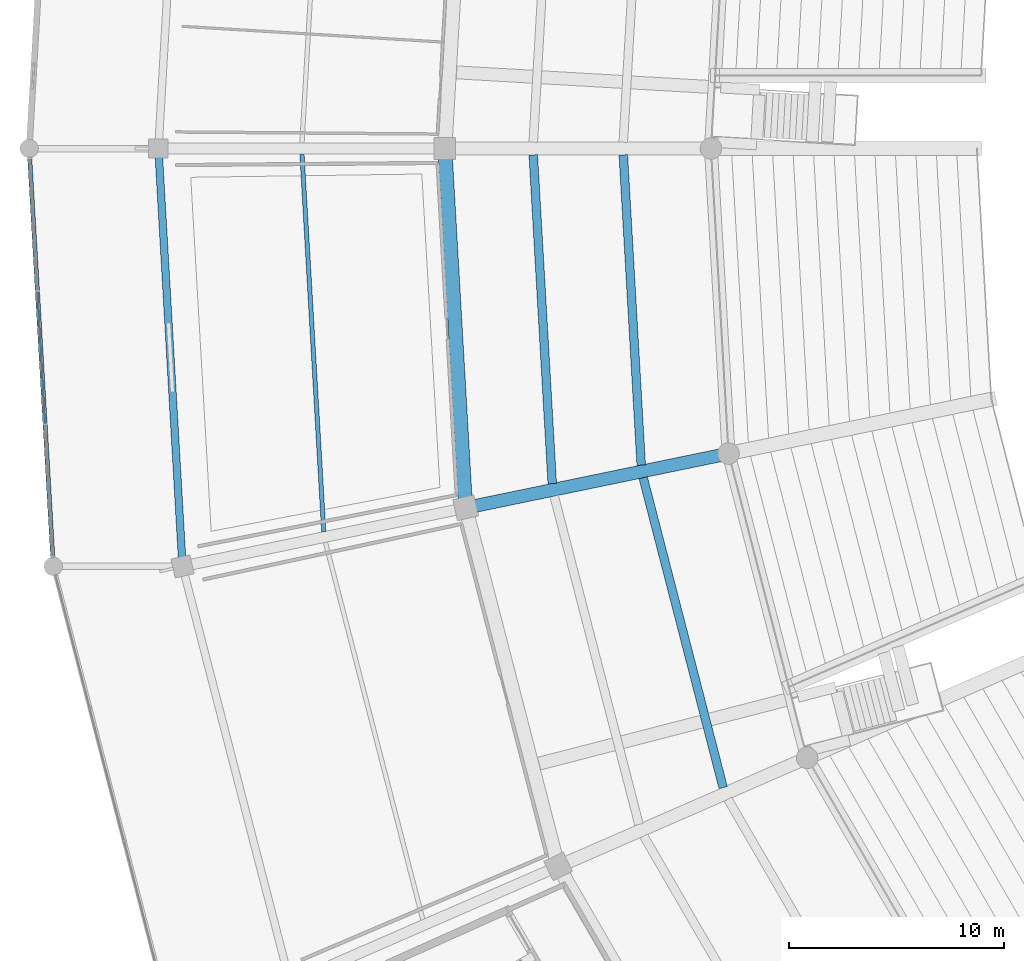
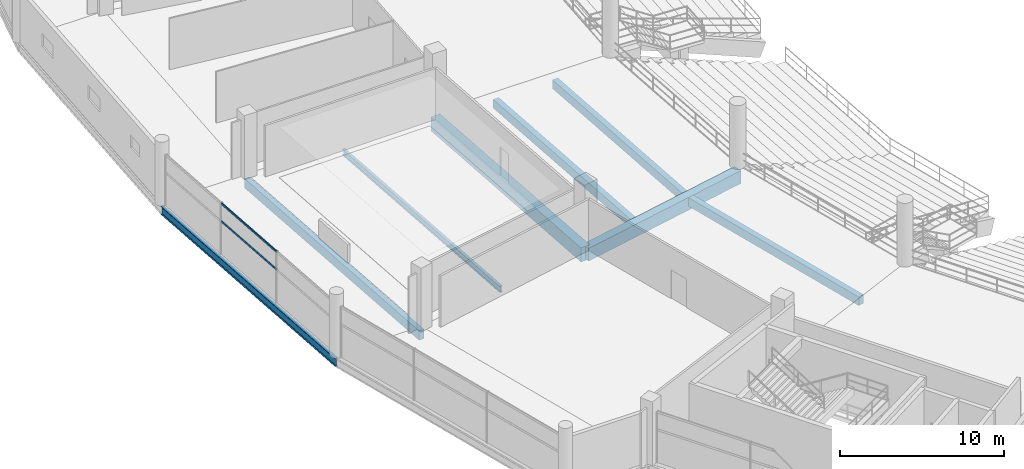
# One storey, part 28 of 156: 8 beams, 2 members, 1 element without a shape of its own.
"""IFC4 building model written with IfcOpenShell, lengths in metres."""

import ifcopenshell
import ifcopenshell.guid

model = None  # the IFC model being written
_history = None  # IfcOwnerHistory: only IFC2X3 demands one
_inside = {}  # id of a spatial element -> (the spatial element, [elements in it])
_under = {}  # id of a project, library or spatial element -> (it, [spatial elements below it])
_declared = {}  # id of a project -> (the project, [libraries it declares])
_typed = {}  # id of a type object -> (the type object, [elements of that type])
_made_of = {}  # id of a material, layer set ... -> (it, [elements and type objects made of it])


def new_model(schema):
    """Start an empty IFC model of exactly this schema.

    Asked for "IFC4X3", IfcOpenShell would pick the latest addendum, in which some entities
    have other attributes; the version numbers below select the first issue.
    IFC2X3 requires an IfcOwnerHistory on every rooted entity: one is made here for all.
    """
    global model, _history
    if schema == "IFC4X3":
        model = ifcopenshell.file(schema_version=(4, 3, 0, 0))
    else:
        model = ifcopenshell.file(schema=schema)
    _inside.clear()
    _under.clear()
    _declared.clear()
    _typed.clear()
    _made_of.clear()
    _history = None
    if model.schema == "IFC2X3":
        org = make("IfcOrganization", Name="unknown")
        user = make(
            "IfcPersonAndOrganization",
            ThePerson=make("IfcPerson", FamilyName="unknown"),
            TheOrganization=org,
        )
        app = make(
            "IfcApplication",
            ApplicationDeveloper=org,
            Version="unknown",
            ApplicationFullName="unknown",
            ApplicationIdentifier="unknown",
        )
        _history = make(
            "IfcOwnerHistory",
            OwningUser=user,
            OwningApplication=app,
            ChangeAction="ADDED",
            CreationDate=0,
        )
    return model


def make(cls, **values):
    """One entity of the class cls with the attributes given. An attribute that is None is left unset."""
    return model.create_entity(
        cls, **{name: value for name, value in values.items() if value is not None}
    )


def rooted(cls, **values):
    """An entity with a GlobalId (a new one), such as an element, a storey or a relation."""
    return make(cls, GlobalId=ifcopenshell.guid.new(), OwnerHistory=_history, **values)


def si_unit(unit_type, name, prefix=None):
    """IfcSIUnit, for example si_unit("LENGTHUNIT", "METRE", prefix="MILLI")."""
    return make("IfcSIUnit", UnitType=unit_type, Prefix=prefix, Name=name)


def assignment(units):
    """IfcUnitAssignment: the units of a project."""
    return None if units is None else make("IfcUnitAssignment", Units=units)


def point(xyz):
    """IfcCartesianPoint."""
    return None if xyz is None else make("IfcCartesianPoint", Coordinates=xyz)


def direction(xyz):
    """IfcDirection."""
    return None if xyz is None else make("IfcDirection", DirectionRatios=xyz)


def frame(location, z_axis=None, x_axis=None):
    """IfcAxis2Placement3D, a coordinate frame: its origin and axes. An axis left out is left unset."""
    return make(
        "IfcAxis2Placement3D",
        Location=point(location),
        Axis=direction(z_axis),
        RefDirection=direction(x_axis),
    )


def frame_2d(location, x_axis=None):
    """IfcAxis2Placement2D, a coordinate frame in the plane: its origin and x axis."""
    return make(
        "IfcAxis2Placement2D", Location=point(location), RefDirection=direction(x_axis)
    )


def origin():
    """The frame at (0, 0, 0) with its axes left unset."""
    return frame((0.0, 0.0, 0.0))


def origin_2d():
    """The frame at (0, 0) in the plane with its x axis left unset."""
    return frame_2d((0.0, 0.0))


def place(relative_to, where):
    """IfcLocalPlacement: puts the frame where relative to a parent placement (None: the world)."""
    return make(
        "IfcLocalPlacement", PlacementRelTo=relative_to, RelativePlacement=where
    )


def context(
    kind, dimensions, precision=None, world=None, true_north=None, identifier=None
):
    """IfcGeometricRepresentationContext, for example the 3D "Model" context."""
    return make(
        "IfcGeometricRepresentationContext",
        ContextIdentifier=identifier,
        ContextType=kind,
        CoordinateSpaceDimension=dimensions,
        Precision=precision,
        WorldCoordinateSystem=world,
        TrueNorth=true_north,
    )


def subcontext(parent, identifier, kind, view, scale=None):
    """IfcGeometricRepresentationSubContext, for example "Body" below "Model"."""
    return make(
        "IfcGeometricRepresentationSubContext",
        ContextIdentifier=identifier,
        ContextType=kind,
        ParentContext=parent,
        TargetScale=scale,
        TargetView=view,
    )


def project(units=None, contexts=None):
    """IfcProject with its units and contexts."""
    return rooted(
        "IfcProject",
        Name="project",
        RepresentationContexts=contexts,
        UnitsInContext=assignment(units),
    )


def spatial(cls, under=None, at=None, **own):
    """A site, building, storey or space (cls), placed at a placement, below another one or the project."""
    s = rooted(cls, ObjectPlacement=at, **own)
    if under is not None:
        _under.setdefault(under.id(), (under, []))[1].append(s)
    return s


def profile(cls, at=None, kind="AREA", **sizes):
    """A parametric profile (cls). Its sizes go by their IFC names, for example OverallWidth=200.0."""
    return make(cls, ProfileType=kind, Position=at, **sizes)


def rectangle(**sizes):
    """IfcRectangleProfileDef."""
    return profile("IfcRectangleProfileDef", **sizes)


def hollow_rectangle(**sizes):
    """IfcRectangleHollowProfileDef."""
    return profile("IfcRectangleHollowProfileDef", **sizes)


def i_section(**sizes):
    """IfcIShapeProfileDef."""
    return profile("IfcIShapeProfileDef", **sizes)


def extrude(swept, where, along, depth):
    """IfcExtrudedAreaSolid: the profile swept, set in the frame where, extruded along a direction by depth."""
    return make(
        "IfcExtrudedAreaSolid",
        SweptArea=swept,
        Position=where,
        ExtrudedDirection=direction(along),
        Depth=depth,
    )


def shape(context_of_items, identifier, shape_type, items):
    """IfcShapeRepresentation: the items that make up one representation, for example the "Body"."""
    return make(
        "IfcShapeRepresentation",
        ContextOfItems=context_of_items,
        RepresentationIdentifier=identifier,
        RepresentationType=shape_type,
        Items=items,
    )


def material(Name=None, Category=None):
    """IfcMaterial."""
    return make("IfcMaterial", Name=Name, Category=Category)


def layer(
    of_material, thickness, ventilated=None, Name=None, Category=None, Priority=None
):
    """IfcMaterialLayer: one layer of a wall or slab, of a material (None: an air gap)."""
    return make(
        "IfcMaterialLayer",
        Material=of_material,
        LayerThickness=thickness,
        IsVentilated=ventilated,
        Name=Name,
        Category=Category,
        Priority=Priority,
    )


def layer_set(layers, Name=None):
    """IfcMaterialLayerSet."""
    return make("IfcMaterialLayerSet", MaterialLayers=layers, LayerSetName=Name)


def material_profile(
    of_material, cross_section, Name=None, Category=None, Priority=None
):
    """IfcMaterialProfile: a cross section and its material."""
    return make(
        "IfcMaterialProfile",
        Name=Name,
        Material=of_material,
        Profile=cross_section,
        Priority=Priority,
        Category=Category,
    )


def profile_set(profiles, Name=None, composite=None):
    """IfcMaterialProfileSet."""
    return make(
        "IfcMaterialProfileSet",
        Name=Name,
        MaterialProfiles=profiles,
        CompositeProfile=composite,
    )


def made_of(thing, what):
    """Note that an element or type object is made of a material, layer set ...; save() writes the relation."""
    if what is not None:
        _made_of.setdefault(what.id(), (what, []))[1].append(thing)
    return thing


def type_object(cls, material=None, **own):
    """A type object (cls), such as IfcWallType, which elements share."""
    return made_of(rooted(cls, **own), material)


def element(
    cls,
    number,
    at=None,
    inside=None,
    cuts=None,
    type_object=None,
    material=None,
    context=None,
    identifier="Body",
    shape_type=None,
    held_by="IfcProductDefinitionShape",
    body=None,
    shapes=None,
    **own,
):
    """One element of the class cls, such as IfcWall. Its Tag is "e" and its number.

    at: its placement. inside: the storey or other place that contains it. cuts: it is an
    opening in that element (IfcRelVoidsElement). A single representation is given by context,
    identifier, shape_type and body (its items); several are given by shapes. held_by: the class
    of the entity that holds the representations. save() writes the other relations.
    """
    e = rooted(cls, Tag="e%d" % number, ObjectPlacement=at, **own)
    if body is not None:
        shapes = [shape(context, identifier, shape_type, body)]
    if shapes is not None:
        e.Representation = make(held_by, Representations=shapes)
    if inside is not None:
        _inside.setdefault(inside.id(), (inside, []))[1].append(e)
    if cuts is not None:
        rooted(
            "IfcRelVoidsElement", RelatingBuildingElement=cuts, RelatedOpeningElement=e
        )
    if type_object is not None:
        _typed.setdefault(type_object.id(), (type_object, []))[1].append(e)
    return made_of(e, material)


def aggregate(whole, parts):
    """IfcRelAggregates: a whole, such as a stair, and the parts it consists of."""
    return rooted("IfcRelAggregates", RelatingObject=whole, RelatedObjects=parts)


def save(model, path):
    """Write the relations noted so far, then the file.

    IfcRelAggregates (storeys below a building ...), IfcRelContainedInSpatialStructure (elements
    in a storey), IfcRelDefinesByType, IfcRelAssociatesMaterial and IfcRelDeclares: one each for
    every whole, place, type object, material and project.
    """
    for whole, parts in _under.values():
        aggregate(whole, parts)
    for where, things in _inside.values():
        rooted(
            "IfcRelContainedInSpatialStructure",
            RelatedElements=things,
            RelatingStructure=where,
        )
    for kind, things in _typed.values():
        rooted("IfcRelDefinesByType", RelatedObjects=things, RelatingType=kind)
    for what, things in _made_of.values():
        rooted("IfcRelAssociatesMaterial", RelatedObjects=things, RelatingMaterial=what)
    for by, libraries in _declared.values():
        rooted("IfcRelDeclares", RelatingContext=by, RelatedDefinitions=libraries)
    model.write(path)


model = new_model("IFC4")

# Units and contexts
model_context = context("Model", 3, precision=1e-05, world=origin(), true_north=direction((0.0, 1.0)))
body_context = subcontext(model_context, "Body", "Model", "MODEL_VIEW")
ifc_project = project(units=[si_unit("LENGTHUNIT", "METRE"), si_unit("AREAUNIT", "SQUARE_METRE"), si_unit("VOLUMEUNIT", "CUBIC_METRE"), si_unit("PLANEANGLEUNIT", "RADIAN"), si_unit("MASSUNIT", "GRAM", prefix="KILO")], contexts=[model_context])

# Site, building, storey
site_placement = place(None, origin())
site = spatial("IfcSite", under=ifc_project, at=site_placement, CompositionType="ELEMENT")
building_placement = place(site_placement, origin())
building = spatial("IfcBuilding", under=site, at=building_placement, Name="Kazemori Nagisa Stadium", CompositionType="ELEMENT")
storey_placement = place(building_placement, frame((0.0, 0.0, 5.780029296875)))
storey = spatial("IfcBuildingStorey", under=building, at=storey_placement, Name="L01", CompositionType="ELEMENT", Elevation=5.780029296875)

# Beams
ifc_material_1 = material(Name="Concrete C40/50 (Fc42)", Category="concrete")
ifc_material_profile_1 = material_profile(ifc_material_1, rectangle(XDim=0.60009765625, YDim=0.949951171875, at=origin_2d()), Name="RC-BM-600x950")
ifc_profile_set_1 = profile_set([ifc_material_profile_1], Name="Concrete C40/50 (Fc42)")
beam_type_1 = type_object("IfcBeamType", Name="Beam_BG-RC600X950", PredefinedType="BEAM", material=ifc_profile_set_1)
beam_1_placement = place(storey_placement, frame((54.467041015625, 87.839599609375, -0.755126953125), z_axis=(-0.979313861938, -0.202347127025, 0.0), x_axis=(0.202347127025, -0.979313861938, 0.0)))
element("IfcBeam", 1, at=beam_1_placement, inside=storey, type_object=beam_type_1, Name="Radial girder BG-RC600X950 L01 R1-R2-16", PredefinedType="BEAM", context=body_context, shape_type="SweptSolid", body=[
    extrude(rectangle(XDim=0.60009765625, YDim=0.949951171875, at=origin_2d()), origin(), (0.0, 0.0, 1.0), 12.46240234375),
])
ifc_material_profile_2 = material_profile(ifc_material_1, rectangle(XDim=0.64990234375, YDim=1.050048828125, at=origin_2d()), Name="RC-BM-650x1050")
ifc_profile_set_2 = profile_set([ifc_material_profile_2], Name="Concrete C40/50 (Fc42)")
beam_type_2 = type_object("IfcBeamType", Name="Beam_BG-RC650X1050", PredefinedType="BEAM", material=ifc_profile_set_2)
beam_2_placement = place(storey_placement, frame((41.300048828125, 102.0, -0.804931640625), z_axis=(0.057594854854, -0.998340038611, 0.0), x_axis=(0.998340038611, 0.057594854854, 0.0)))
element("IfcBeam", 2, at=beam_2_placement, inside=storey, type_object=beam_type_2, Name="Ring girder BG-RC650X1050 L01 R2-15", PredefinedType="BEAM", context=body_context, shape_type="SweptSolid", body=[
    extrude(rectangle(XDim=0.64990234375, YDim=1.050048828125, at=origin_2d()), origin(), (0.0, 0.0, 1.0), 16.7099609375),
])
ifc_material_2 = material(Name="Steel SN490B", Category="steel")
ifc_material_profile_3 = material_profile(ifc_material_2, i_section(OverallWidth=0.199951171875, OverallDepth=0.449951171875, WebThickness=0.009033203125, FlangeThickness=0.013916015625, FilletRadius=0.012939453125, at=origin_2d()), Name="H-450x200x9x14")
ifc_profile_set_3 = profile_set([ifc_material_profile_3], Name="Steel SN490B")
beam_type_3 = type_object("IfcBeamType", Name="Beam_BJ-H450", PredefinedType="JOIST", material=ifc_profile_set_3)
beam_3_placement = place(storey_placement, frame((34.6640625, 101.75537109375, -0.505126953125), z_axis=(0.057605851522, -0.998339404146, 0.0), x_axis=(0.998339404146, 0.057605851522, 0.0)))
element("IfcBeam", 3, at=beam_3_placement, inside=storey, type_object=beam_type_3, Name="Outer bay joist BJ-H450 L01 B15", PredefinedType="JOIST", context=body_context, shape_type="SweptSolid", body=[
    extrude(i_section(OverallWidth=0.199951171875, OverallDepth=0.449951171875, WebThickness=0.009033203125, FlangeThickness=0.013916015625, FilletRadius=0.012939453125, at=origin_2d()), origin(), (0.0, 0.0, 1.0), 17.579833984375),
])
ifc_material_profile_4 = material_profile(ifc_material_1, rectangle(XDim=0.39990234375, YDim=0.64990234375, at=origin_2d()), Name="RC-BM-400x650")
ifc_profile_set_4 = profile_set([ifc_material_profile_4], Name="Concrete C40/50 (Fc42)")
beam_type_4 = type_object("IfcBeamType", Name="Beam_BJ-RC400X650", PredefinedType="JOIST", material=ifc_profile_set_4)
beam_4_placement = place(storey_placement, frame((49.58203125, 101.70556640625, -0.60498046875), z_axis=(0.057594265016, -0.998340072639, 0.0), x_axis=(0.998340072639, 0.057594265016, 0.0)))
element("IfcBeam", 4, at=beam_4_placement, inside=storey, type_object=beam_type_4, Name="Concourse joist BJ-RC400X650 L01 B15-1", PredefinedType="JOIST", context=body_context, shape_type="SweptSolid", body=[
    extrude(rectangle(XDim=0.39990234375, YDim=0.64990234375, at=origin_2d()), origin(), (0.0, 0.0, 1.0), 14.429443359375),
])
beam_5_placement = place(storey_placement, frame((45.402099609375, 101.70556640625, -0.60498046875), z_axis=(0.057599290514, -0.998339782705, 0.0), x_axis=(0.998339782705, 0.057599290514, 0.0)))
element("IfcBeam", 5, at=beam_5_placement, inside=storey, type_object=beam_type_4, Name="Concourse joist BJ-RC400X650 L01 B15-2", PredefinedType="JOIST", context=body_context, shape_type="SweptSolid", body=[
    extrude(rectangle(XDim=0.39990234375, YDim=0.64990234375, at=origin_2d()), origin(), (0.0, 0.0, 1.0), 15.284423828125),
])
beam_6_placement = place(storey_placement, frame((50.50390625, 86.719970703125, -0.60498046875), z_axis=(0.24996646764, -0.968254493951, 0.0), x_axis=(0.968254493951, 0.24996646764, 0.0)))
element("IfcBeam", 6, at=beam_6_placement, inside=storey, type_object=beam_type_4, Name="Concourse joist BJ-RC400X650 L01 B16-1", PredefinedType="JOIST", context=body_context, shape_type="SweptSolid", body=[
    extrude(rectangle(XDim=0.39990234375, YDim=0.64990234375, at=origin_2d()), origin(), (0.0, 0.0, 1.0), 14.859375),
])
ifc_material_profile_5 = material_profile(ifc_material_2, i_section(OverallWidth=0.199951171875, OverallDepth=0.60009765625, WebThickness=0.010986328125, FlangeThickness=0.01708984375, FilletRadius=0.012939453125, at=origin_2d()), Name="H-600x200x11x17")
ifc_profile_set_5 = profile_set([ifc_material_profile_5], Name="Steel SN490B")
beam_type_5 = type_object("IfcBeamType", Name="Beam_BS-H600", PredefinedType="SPANDREL", material=ifc_profile_set_5)
beam_7_placement = place(storey_placement, frame((22.0, 102.0, -0.573974609375), z_axis=(0.057598702622, -0.998339816624, 0.0), x_axis=(0.998339816624, 0.057598702622, 0.0)))
element("IfcBeam", 7, at=beam_7_placement, inside=storey, type_object=beam_type_5, Name="Boulevard edge beam BS-H600 L01 R4-15", PredefinedType="SPANDREL", context=body_context, shape_type="SweptSolid", body=[
    extrude(i_section(OverallWidth=0.199951171875, OverallDepth=0.60009765625, WebThickness=0.010986328125, FlangeThickness=0.01708984375, FilletRadius=0.012939453125, at=origin_2d()), origin(), (0.0, 0.0, 1.0), 19.429931640625),
])
ifc_material_profile_6 = material_profile(ifc_material_1, rectangle(XDim=0.35009765625, YDim=0.699951171875, at=origin_2d()), Name="RC-SP-350x700")
ifc_profile_set_6 = profile_set([ifc_material_profile_6], Name="Concrete C40/50 (Fc42)")
beam_type_6 = type_object("IfcBeamType", Name="Beam_BS-RC350X700", PredefinedType="SPANDREL", material=ifc_profile_set_6)
beam_8_placement = place(storey_placement, frame((28.0, 102.0, -0.630126953125), z_axis=(0.057598702622, -0.998339816624, 0.0), x_axis=(0.998339816624, 0.057598702622, 0.0)))
element("IfcBeam", 8, at=beam_8_placement, inside=storey, type_object=beam_type_6, Name="Ring girder BS-RC350X700 L01 R3-15", PredefinedType="SPANDREL", context=body_context, shape_type="SweptSolid", body=[
    extrude(rectangle(XDim=0.35009765625, YDim=0.699951171875, at=origin_2d()), origin(), (0.0, 0.0, 1.0), 19.429931640625),
])

# Curtain wall, members
ifc_material_3 = material(Name="Anodised aluminium 6063-T5", Category="aluminium")
ifc_layer = layer(ifc_material_3, 0.179931640625, Name="Anodised aluminium 6063-T5", Category="aluminium")
ifc_layer_set = layer_set([ifc_layer], Name="Anodised aluminium 6063-T5")
curtain_wall_type = type_object("IfcCurtainWallType", Name="CW_L01R3_93", PredefinedType="USERDEFINED", material=ifc_layer_set)
curtain_wall_placement = place(storey_placement, origin())
curtain_wall = element("IfcCurtainWall", 9, at=curtain_wall_placement, inside=storey, type_object=curtain_wall_type, Name="Unitised curtain wall CW-L01R3-93 L01", ObjectType="UNITISED CURTAIN WALL", PredefinedType="USERDEFINED")
ifc_material_4 = material(Name="Aluminium 6063-T5 anodised", Category="aluminium")
ifc_material_profile_7 = material_profile(ifc_material_4, hollow_rectangle(XDim=0.070068359375, YDim=0.139892578125, WallThickness=0.00390625, at=origin_2d()), Name="ALU-TRAN-70x140x4")
ifc_profile_set_7 = profile_set([ifc_material_profile_7], Name="Aluminium 6063-T5 anodised")
member_type = type_object("IfcMemberType", Name="Transom_T01", PredefinedType="USERDEFINED", material=ifc_profile_set_7)
member_1_placement = place(storey_placement, frame((22.3828125, 95.365966796875, 2.4638671875), z_axis=(0.057577481459, -0.998341040742, 0.0), x_axis=(0.998341040742, 0.057577481459, 0.0)))
member_1 = element("IfcMember", 10, at=member_1_placement, type_object=member_type, Name="Curtain wall transom CW-L01R3-93-T2-mid", ObjectType="TRANSOM", PredefinedType="USERDEFINED", context=body_context, shape_type="SweptSolid", body=[
    extrude(hollow_rectangle(XDim=0.070068359375, YDim=0.139892578125, WallThickness=0.00390625, at=origin_2d()), origin(), (0.0, 0.0, 1.0), 6.139892578125),
])
member_2_placement = place(storey_placement, frame((22.3828125, 95.365966796875, 3.780029296875), z_axis=(0.057577481459, -0.998341040742, 0.0), x_axis=(0.998341040742, 0.057577481459, 0.0)))
member_2 = element("IfcMember", 11, at=member_2_placement, type_object=member_type, Name="Curtain wall transom CW-L01R3-93-T2-head", ObjectType="TRANSOM", PredefinedType="USERDEFINED", context=body_context, shape_type="SweptSolid", body=[
    extrude(hollow_rectangle(XDim=0.070068359375, YDim=0.139892578125, WallThickness=0.00390625, at=origin_2d()), origin(), (0.0, 0.0, 1.0), 6.139892578125),
])
aggregate(curtain_wall, [member_1, member_2])

save(model, "model.ifc")
